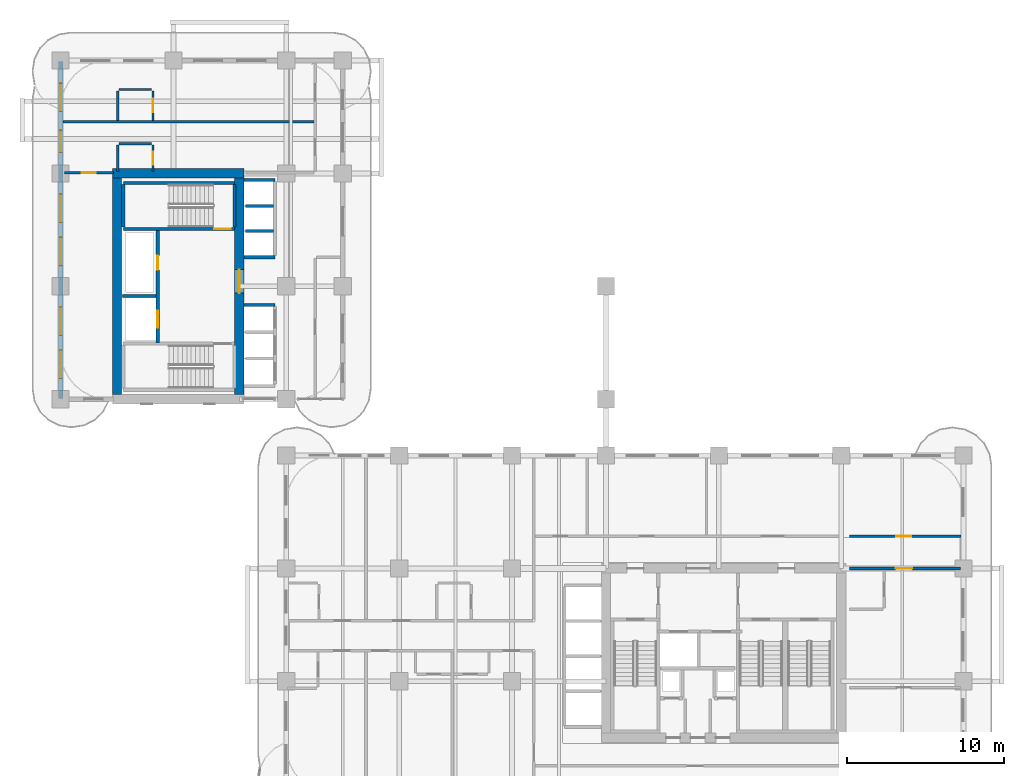
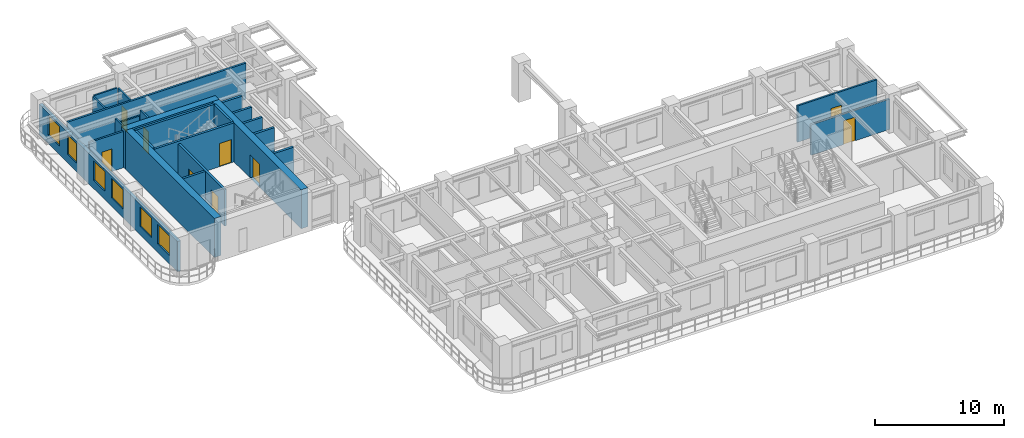
# One storey, part 10 of 18: 25 walls, 9 doors, 6 windows, 15 openings.
"""IFC4 building model written with IfcOpenShell, lengths in metres."""

from ifc_helpers import new_model, si_unit, derived_unit, direction, frame, frame_2d, origin, place, context, subcontext, project, spatial, rectangle, extrude, source, transform, mapped, material, layer, layer_set, type_object, type_shapes, element, fill, save


model = new_model("IFC4")

# Units and contexts
model_context = context("Model", 3, precision=1e-05, world=origin(), true_north=direction((0.0, 1.0)))
body_context = subcontext(model_context, "Body", "Model", "MODEL_VIEW")
ifc_project = project(units=[si_unit("LENGTHUNIT", "METRE"), si_unit("AREAUNIT", "SQUARE_METRE"), si_unit("VOLUMEUNIT", "CUBIC_METRE"), si_unit("PLANEANGLEUNIT", "RADIAN"), si_unit("MASSUNIT", "GRAM", prefix="KILO"), si_unit("THERMODYNAMICTEMPERATUREUNIT", "KELVIN"), si_unit("POWERUNIT", "WATT"), derived_unit("THERMALTRANSMITTANCEUNIT", [(si_unit("POWERUNIT", "WATT"), 1), (si_unit("AREAUNIT", "SQUARE_METRE"), -1), (si_unit("THERMODYNAMICTEMPERATUREUNIT", "KELVIN"), -1)])], contexts=[model_context])

# Site, building, storey
site_placement = place(None, origin())
site = spatial("IfcSite", under=ifc_project, at=site_placement, CompositionType="ELEMENT")
building_placement = place(site_placement, origin())
building = spatial("IfcBuilding", under=site, at=building_placement, Name="Zahravan Archway Hotel and Residences", CompositionType="ELEMENT")
storey_placement = place(building_placement, frame((0.0, 0.0, 36.10009765625)))
storey = spatial("IfcBuildingStorey", under=building, at=storey_placement, Name="L07", CompositionType="ELEMENT", Elevation=36.10009765625)

# Walls
ifc_material_1 = material(Name="Concrete C70/85", Category="concrete")
ifc_layer_1 = layer(ifc_material_1, 0.60009765625, Name="Concrete C70/85", Category="concrete")
ifc_layer_set_1 = layer_set([ifc_layer_1], Name="Concrete C70/85")
wall_type_1 = type_object("IfcWallType", Name="CW-CORE-600", PredefinedType="SHEAR", material=ifc_layer_set_1)
wall_1_placement = place(storey_placement, frame((3.300048828125, 39.60009765625, 0.0), z_axis=(0.0, 0.0, 1.0), x_axis=(1.0, 0.0, 0.0)))
element("IfcWall", 1, at=wall_1_placement, inside=storey, type_object=wall_type_1, Name="L07 Core B Shear N Wall 600 mm", PredefinedType="SHEAR", context=body_context, shape_type="SweptSolid", body=[
    extrude(rectangle(XDim=8.39990234375, YDim=0.60009765625, at=frame_2d((4.199951171875, 0.0))), origin(), (0.0, 0.0, 1.0), 3.699951171875),
])
wall_2_placement = place(storey_placement, frame((3.60009765625, 25.5, 0.0), z_axis=(0.0, 0.0, 1.0), x_axis=(0.0, 1.0, 0.0)))
element("IfcWall", 2, at=wall_2_placement, inside=storey, type_object=wall_type_1, Name="L07 Core B Shear W Wall 600 mm", PredefinedType="SHEAR", context=body_context, shape_type="SweptSolid", body=[
    extrude(rectangle(XDim=13.800048828125, YDim=0.60009765625, at=frame_2d((6.89990234375, 0.0))), origin(), (0.0, 0.0, 1.0), 3.699951171875),
])

# Wall, opening, door
wall_3_placement = place(storey_placement, frame((11.39990234375, 25.5, 0.0), z_axis=(0.0, 0.0, 1.0), x_axis=(0.0, 1.0, 0.0)))
wall_3 = element("IfcWall", 3, at=wall_3_placement, inside=storey, type_object=wall_type_1, Name="L07 Core B Shear E Wall 600 mm", PredefinedType="SHEAR", context=body_context, shape_type="SweptSolid", body=[
    extrude(rectangle(XDim=13.800048828125, YDim=0.60009765625, at=frame_2d((6.89990234375, 0.0))), origin(), (0.0, 0.0, 1.0), 3.699951171875),
])
opening_1_placement = place(wall_3_placement, frame((6.469970703125, 0.0, 0.0)))
opening_1 = element("IfcOpeningElement", 4, at=opening_1_placement, cuts=wall_3, Name="Opening FD-L1", PredefinedType="OPENING", context=body_context, shape_type="SweptSolid", body=[
    extrude(rectangle(XDim=1.5, YDim=2.199951171875, at=frame_2d((0.75, 1.10009765625))), frame((0.0, 0.31005859375, 0.0), z_axis=(0.0, -1.0, 0.0), x_axis=(1.0, 0.0, 0.0)), (0.0, 0.0, 1.0), 0.6201171875),
])
ifc_material_2 = material(Name="Fire-Rated Painted Steel", Category="steel")
door_type_1 = type_object("IfcDoorType", Name="FD-LOBBY-1500", OperationType="DOUBLE_DOOR_SINGLE_SWING", PredefinedType="DOOR", material=ifc_material_2)
shared_shape_1 = source(origin(), body_context, "Body", "SweptSolid", [
    extrude(rectangle(XDim=1.5, YDim=2.199951171875, at=frame_2d((0.75, 1.10009765625))), frame((0.0, 0.02490234375, 0.0), z_axis=(0.0, -1.0, 0.0), x_axis=(1.0, 0.0, 0.0)), (0.0, 0.0, 1.0), 0.050048828125),
])
type_shapes(door_type_1, [shared_shape_1])
door_1_placement = place(opening_1_placement, origin())
door_1 = element("IfcDoor", 5, at=door_1_placement, inside=storey, type_object=door_type_1, Name="L07 Core B FSAE Lobby Door", OperationType="DOUBLE_DOOR_SINGLE_SWING", OverallHeight=2.199951171875, OverallWidth=1.5, PredefinedType="DOOR", context=body_context, shape_type="MappedRepresentation", body=[
    mapped(shared_shape_1, transform((0.0, 0.0, 0.0), scale=1.0)),
])
fill(opening_1, door_1)

# Wall, openings, windows
ifc_material_3 = material(Name="Honed Red-Ochre Sandstone & Insulated Block", Category="masonry")
ifc_layer_2 = layer(ifc_material_3, 0.280029296875, Name="Honed Red-Ochre Sandstone & Insulated Block", Category="masonry")
ifc_layer_set_2 = layer_set([ifc_layer_2], Name="Honed Red-Ochre Sandstone & Insulated Block")
wall_type_2 = type_object("IfcWallType", Name="EW-LOG-280", PredefinedType="SOLIDWALL", material=ifc_layer_set_2)
wall_4_placement = place(storey_placement, frame((0.0, 25.25, 0.0), z_axis=(0.0, 0.0, 1.0), x_axis=(0.0, 1.0, 0.0)))
wall_4 = element("IfcWall", 6, at=wall_4_placement, inside=storey, type_object=wall_type_2, Name="L07 Exterior Sandstone Wall WB-W", PredefinedType="SOLIDWALL", context=body_context, shape_type="SweptSolid", body=[
    extrude(rectangle(XDim=21.5, YDim=0.280029296875, at=frame_2d((10.75, 0.0))), origin(), (0.0, 0.0, 1.0), 2.885009765625),
])
opening_2_placement = place(wall_4_placement, frame((1.27490234375, 0.0, 0.800048828125)))
opening_2 = element("IfcOpeningElement", 7, at=opening_2_placement, cuts=wall_4, Name="Opening W-02", PredefinedType="OPENING", context=body_context, shape_type="SweptSolid", body=[
    extrude(rectangle(XDim=1.800048828125, YDim=1.85009765625, at=frame_2d((0.89990234375, 0.925048828125))), frame((0.0, 0.14990234375, 0.0), z_axis=(0.0, -1.0, 0.0), x_axis=(1.0, 0.0, 0.0)), (0.0, 0.0, 1.0), 0.300048828125),
])
opening_3_placement = place(wall_4_placement, frame((4.02490234375, 0.0, 0.800048828125)))
opening_3 = element("IfcOpeningElement", 8, at=opening_3_placement, cuts=wall_4, Name="Opening W-02", PredefinedType="OPENING", context=body_context, shape_type="SweptSolid", body=[
    extrude(rectangle(XDim=1.800048828125, YDim=1.85009765625, at=frame_2d((0.89990234375, 0.925048828125))), frame((0.0, 0.14990234375, 0.0), z_axis=(0.0, -1.0, 0.0), x_axis=(1.0, 0.0, 0.0)), (0.0, 0.0, 1.0), 0.300048828125),
])
opening_4_placement = place(wall_4_placement, frame((8.47509765625, 0.0, 0.800048828125)))
opening_4 = element("IfcOpeningElement", 9, at=opening_4_placement, cuts=wall_4, Name="Opening W-02", PredefinedType="OPENING", context=body_context, shape_type="SweptSolid", body=[
    extrude(rectangle(XDim=1.800048828125, YDim=1.85009765625, at=frame_2d((0.89990234375, 0.925048828125))), frame((0.0, 0.14990234375, 0.0), z_axis=(0.0, -1.0, 0.0), x_axis=(1.0, 0.0, 0.0)), (0.0, 0.0, 1.0), 0.300048828125),
])
opening_5_placement = place(wall_4_placement, frame((11.22509765625, 0.0, 0.800048828125)))
opening_5 = element("IfcOpeningElement", 10, at=opening_5_placement, cuts=wall_4, Name="Opening W-02", PredefinedType="OPENING", context=body_context, shape_type="SweptSolid", body=[
    extrude(rectangle(XDim=1.800048828125, YDim=1.85009765625, at=frame_2d((0.89990234375, 0.925048828125))), frame((0.0, 0.14990234375, 0.0), z_axis=(0.0, -1.0, 0.0), x_axis=(1.0, 0.0, 0.0)), (0.0, 0.0, 1.0), 0.300048828125),
])
opening_6_placement = place(wall_4_placement, frame((15.697021484375, 0.0, 0.800048828125)))
opening_6 = element("IfcOpeningElement", 11, at=opening_6_placement, cuts=wall_4, Name="Opening W-03", PredefinedType="OPENING", context=body_context, shape_type="SweptSolid", body=[
    extrude(rectangle(XDim=1.39990234375, YDim=1.85009765625, at=frame_2d((0.699951171875, 0.925048828125))), frame((0.0, 0.14990234375, 0.0), z_axis=(0.0, -1.0, 0.0), x_axis=(1.0, 0.0, 0.0)), (0.0, 0.0, 1.0), 0.300048828125),
])
opening_7_placement = place(wall_4_placement, frame((18.302978515625, 0.0, 0.800048828125)))
opening_7 = element("IfcOpeningElement", 12, at=opening_7_placement, cuts=wall_4, Name="Opening W-02", PredefinedType="OPENING", context=body_context, shape_type="SweptSolid", body=[
    extrude(rectangle(XDim=1.800048828125, YDim=1.85009765625, at=frame_2d((0.89990234375, 0.925048828125))), frame((0.0, 0.14990234375, 0.0), z_axis=(0.0, -1.0, 0.0), x_axis=(1.0, 0.0, 0.0)), (0.0, 0.0, 1.0), 0.300048828125),
])
ifc_material_4 = material(Name="Bronze-Anodized Thermal-Break Aluminium & Low-E Glass", Category="aluminium")
window_type_1 = type_object("IfcWindowType", Name="WIN-TWR-1400", PartitioningType="SINGLE_PANEL", PredefinedType="WINDOW", material=ifc_material_4)
shared_shape_2 = source(origin(), body_context, "Body", "SweptSolid", [
    extrude(rectangle(XDim=1.39990234375, YDim=1.85009765625, at=frame_2d((0.699951171875, 0.925048828125))), frame((0.0, 0.030029296875, 0.0), z_axis=(0.0, -1.0, 0.0), x_axis=(1.0, 0.0, 0.0)), (0.0, 0.0, 1.0), 0.06005859375),
])
type_shapes(window_type_1, [shared_shape_2])
window_1_placement = place(opening_6_placement, origin())
window_1 = element("IfcWindow", 13, at=window_1_placement, inside=storey, type_object=window_type_1, Name="L07 Loggia Window 45", OverallHeight=1.85009765625, OverallWidth=1.39990234375, PartitioningType="SINGLE_PANEL", PredefinedType="WINDOW", context=body_context, shape_type="MappedRepresentation", body=[
    mapped(shared_shape_2, transform((0.0, 0.0, 0.0), scale=1.0)),
])
fill(opening_6, window_1)
window_type_2 = type_object("IfcWindowType", Name="WIN-TWR-1800", PartitioningType="DOUBLE_PANEL_VERTICAL", PredefinedType="WINDOW", material=ifc_material_4)
shared_shape_3 = source(origin(), body_context, "Body", "SweptSolid", [
    extrude(rectangle(XDim=1.800048828125, YDim=1.85009765625, at=frame_2d((0.89990234375, 0.925048828125))), frame((0.0, 0.030029296875, 0.0), z_axis=(0.0, -1.0, 0.0), x_axis=(1.0, 0.0, 0.0)), (0.0, 0.0, 1.0), 0.06005859375),
])
type_shapes(window_type_2, [shared_shape_3])
window_2_placement = place(opening_2_placement, origin())
window_2 = element("IfcWindow", 14, at=window_2_placement, inside=storey, type_object=window_type_2, Name="L07 Loggia Window 41", OverallHeight=1.85009765625, OverallWidth=1.800048828125, PartitioningType="DOUBLE_PANEL_VERTICAL", PredefinedType="WINDOW", context=body_context, shape_type="MappedRepresentation", body=[
    mapped(shared_shape_3, transform((0.0, 0.0, 0.0), scale=1.0)),
])
fill(opening_2, window_2)
window_3_placement = place(opening_3_placement, origin())
window_3 = element("IfcWindow", 15, at=window_3_placement, inside=storey, type_object=window_type_2, Name="L07 Loggia Window 42", OverallHeight=1.85009765625, OverallWidth=1.800048828125, PartitioningType="DOUBLE_PANEL_VERTICAL", PredefinedType="WINDOW", context=body_context, shape_type="MappedRepresentation", body=[
    mapped(shared_shape_3, transform((0.0, 0.0, 0.0), scale=1.0)),
])
fill(opening_3, window_3)
window_4_placement = place(opening_4_placement, origin())
window_4 = element("IfcWindow", 16, at=window_4_placement, inside=storey, type_object=window_type_2, Name="L07 Loggia Window 43", OverallHeight=1.85009765625, OverallWidth=1.800048828125, PartitioningType="DOUBLE_PANEL_VERTICAL", PredefinedType="WINDOW", context=body_context, shape_type="MappedRepresentation", body=[
    mapped(shared_shape_3, transform((0.0, 0.0, 0.0), scale=1.0)),
])
fill(opening_4, window_4)
window_5_placement = place(opening_5_placement, origin())
window_5 = element("IfcWindow", 17, at=window_5_placement, inside=storey, type_object=window_type_2, Name="L07 Loggia Window 44", OverallHeight=1.85009765625, OverallWidth=1.800048828125, PartitioningType="DOUBLE_PANEL_VERTICAL", PredefinedType="WINDOW", context=body_context, shape_type="MappedRepresentation", body=[
    mapped(shared_shape_3, transform((0.0, 0.0, 0.0), scale=1.0)),
])
fill(opening_5, window_5)
window_6_placement = place(opening_7_placement, origin())
window_6 = element("IfcWindow", 18, at=window_6_placement, inside=storey, type_object=window_type_2, Name="L07 Loggia Window 46", OverallHeight=1.85009765625, OverallWidth=1.800048828125, PartitioningType="DOUBLE_PANEL_VERTICAL", PredefinedType="WINDOW", context=body_context, shape_type="MappedRepresentation", body=[
    mapped(shared_shape_3, transform((0.0, 0.0, 0.0), scale=1.0)),
])
fill(opening_7, window_6)

# Wall, opening, door
ifc_material_5 = material(Name="Fire-Rated Gypsum & Concrete Block", Category="concrete")
ifc_layer_3 = layer(ifc_material_5, 0.159912109375, Name="Fire-Rated Gypsum & Concrete Block", Category="concrete")
ifc_layer_set_3 = layer_set([ifc_layer_3], Name="Fire-Rated Gypsum & Concrete Block")
wall_type_3 = type_object("IfcWallType", Name="PW-CORR-160", PredefinedType="PARTITIONING", material=ifc_layer_set_3)
wall_5_placement = place(storey_placement, frame((50.340087890625, 16.449951171875, 0.0), z_axis=(0.0, 0.0, 1.0), x_axis=(1.0, 0.0, 0.0)))
wall_5 = element("IfcWall", 19, at=wall_5_placement, inside=storey, type_object=wall_type_3, Name="L07 Partition EA-PN", PredefinedType="PARTITIONING", context=body_context, shape_type="SweptSolid", body=[
    extrude(rectangle(XDim=7.11181640625, YDim=0.159912109375, at=frame_2d((3.555908203125, 0.0))), origin(), (0.0, 0.0, 1.0), 3.449951171875),
])
opening_8_placement = place(wall_5_placement, frame((2.985107421875, 0.0, 0.0)))
opening_8 = element("IfcOpeningElement", 20, at=opening_8_placement, cuts=wall_5, Name="Opening D-I1", PredefinedType="OPENING", context=body_context, shape_type="SweptSolid", body=[
    extrude(rectangle(XDim=0.949951171875, YDim=2.14990234375, at=frame_2d((0.47509765625, 1.074951171875))), frame((0.0, 0.08984375, 0.0), z_axis=(0.0, -1.0, 0.0), x_axis=(1.0, 0.0, 0.0)), (0.0, 0.0, 1.0), 0.179931640625),
])
ifc_material_6 = material(Name="Hardwood Veneer Timber", Category="wood")
door_type_2 = type_object("IfcDoorType", Name="ID-INT-950", OperationType="NOTDEFINED", PredefinedType="DOOR", material=ifc_material_6)
shared_shape_4 = source(origin(), body_context, "Body", "SweptSolid", [
    extrude(rectangle(XDim=0.949951171875, YDim=2.14990234375, at=frame_2d((0.47509765625, 1.074951171875))), frame((0.0, 0.02490234375, 0.0), z_axis=(0.0, -1.0, 0.0), x_axis=(1.0, 0.0, 0.0)), (0.0, 0.0, 1.0), 0.050048828125),
])
type_shapes(door_type_2, [shared_shape_4])
door_2_placement = place(opening_8_placement, origin())
door_2 = element("IfcDoor", 21, at=door_2_placement, inside=storey, type_object=door_type_2, Name="L07 East Tea Kitchenette Door", OperationType="SINGLE_SWING_RIGHT", OverallHeight=2.14990234375, OverallWidth=0.949951171875, PredefinedType="DOOR", context=body_context, shape_type="MappedRepresentation", body=[
    mapped(shared_shape_4, transform((0.0, 0.0, 0.0), scale=1.0)),
])
fill(opening_8, door_2)

# Wall, openings, doors
ifc_layer_4 = layer(ifc_material_5, 0.199951171875, Name="Fire-Rated Gypsum & Concrete Block", Category="concrete")
ifc_layer_set_4 = layer_set([ifc_layer_4], Name="Fire-Rated Gypsum & Concrete Block")
wall_type_4 = type_object("IfcWallType", Name="PW-SHAFT-200", PredefinedType="PARTITIONING", material=ifc_layer_set_4)
wall_6_placement = place(storey_placement, frame((6.199951171875, 28.7900390625, 0.0), z_axis=(0.0, 0.0, 1.0), x_axis=(0.0, 1.0, 0.0)))
wall_6 = element("IfcWall", 22, at=wall_6_placement, inside=storey, type_object=wall_type_4, Name="L07 Partition CB-FL3E", PredefinedType="PARTITIONING", context=body_context, shape_type="SweptSolid", body=[
    extrude(rectangle(XDim=7.219970703125, YDim=0.199951171875, at=frame_2d((3.60986328125, 0.0))), origin(), (0.0, 0.0, 1.0), 3.449951171875),
])
opening_9_placement = place(wall_6_placement, frame((4.659912109375, 0.0, 0.0)))
opening_9 = element("IfcOpeningElement", 23, at=opening_9_placement, cuts=wall_6, Name="Opening FD-R1", PredefinedType="OPENING", context=body_context, shape_type="SweptSolid", body=[
    extrude(rectangle(XDim=0.89990234375, YDim=2.10009765625, at=frame_2d((0.449951171875, 1.050048828125))), frame((0.0, 0.10986328125, 0.0), z_axis=(0.0, -1.0, 0.0), x_axis=(1.0, 0.0, 0.0)), (0.0, 0.0, 1.0), 0.219970703125),
])
opening_10_placement = place(wall_6_placement, frame((0.9599609375, 0.0, 0.0)))
opening_10 = element("IfcOpeningElement", 24, at=opening_10_placement, cuts=wall_6, Name="Opening LD", PredefinedType="OPENING", context=body_context, shape_type="SweptSolid", body=[
    extrude(rectangle(XDim=1.10009765625, YDim=2.199951171875, at=frame_2d((0.550048828125, 1.10009765625))), frame((0.0, 0.10986328125, 0.0), z_axis=(0.0, -1.0, 0.0), x_axis=(1.0, 0.0, 0.0)), (0.0, 0.0, 1.0), 0.219970703125),
])
door_type_3 = type_object("IfcDoorType", Name="FD-RISER-900", OperationType="NOTDEFINED", PredefinedType="DOOR", material=ifc_material_2)
shared_shape_5 = source(origin(), body_context, "Body", "SweptSolid", [
    extrude(rectangle(XDim=0.89990234375, YDim=2.10009765625, at=frame_2d((0.449951171875, 1.050048828125))), frame((0.0, 0.02490234375, 0.0), z_axis=(0.0, -1.0, 0.0), x_axis=(1.0, 0.0, 0.0)), (0.0, 0.0, 1.0), 0.050048828125),
])
type_shapes(door_type_3, [shared_shape_5])
door_3_placement = place(opening_9_placement, origin())
door_3 = element("IfcDoor", 25, at=door_3_placement, inside=storey, type_object=door_type_3, Name="L07 Core B Riser Door", OperationType="SINGLE_SWING_RIGHT", OverallHeight=2.10009765625, OverallWidth=0.89990234375, PredefinedType="DOOR", context=body_context, shape_type="MappedRepresentation", body=[
    mapped(shared_shape_5, transform((0.0, 0.0, 0.0), scale=1.0)),
])
fill(opening_9, door_3)
ifc_material_7 = material(Name="Brushed Stainless Steel", Category="steel")
door_type_4 = type_object("IfcDoorType", Name="DR-LIFT-LD", OperationType="SLIDING_TO_LEFT", PredefinedType="DOOR", material=ifc_material_7)
shared_shape_6 = source(origin(), body_context, "Body", "SweptSolid", [
    extrude(rectangle(XDim=1.10009765625, YDim=2.199951171875, at=frame_2d((0.550048828125, 1.10009765625))), frame((0.0, 0.02490234375, 0.0), z_axis=(0.0, -1.0, 0.0), x_axis=(1.0, 0.0, 0.0)), (0.0, 0.0, 1.0), 0.050048828125),
])
type_shapes(door_type_4, [shared_shape_6])
door_4_placement = place(opening_10_placement, origin())
door_4 = element("IfcDoor", 26, at=door_4_placement, inside=storey, type_object=door_type_4, Name="L07 Lift FL-3 Sliding Landing Door", OperationType="SLIDING_TO_LEFT", OverallHeight=2.199951171875, OverallWidth=1.10009765625, PredefinedType="DOOR", context=body_context, shape_type="MappedRepresentation", body=[
    mapped(shared_shape_6, transform((0.0, 0.0, 0.0), scale=1.0)),
])
fill(opening_10, door_4)

# Walls
wall_7_placement = place(storey_placement, frame((3.9599609375, 31.780029296875, 0.0), z_axis=(0.0, 0.0, 1.0), x_axis=(1.0, 0.0, 0.0)))
element("IfcWall", 27, at=wall_7_placement, inside=storey, type_object=wall_type_4, Name="L07 Partition CB-FL3N", PredefinedType="PARTITIONING", context=body_context, shape_type="SweptSolid", body=[
    extrude(rectangle(XDim=2.130126953125, YDim=0.199951171875, at=frame_2d((1.06494140625, 0.0))), origin(), (0.0, 0.0, 1.0), 3.449951171875),
])
for number, where, z_axis, x_axis, name in (
    (28, (11.7099609375, 31.2099609375, 0.0), (0.0, 0.0, 1.0), (1.0, 0.0, 0.0), "L07 Partition B1-N"),
    (29, (11.7099609375, 34.25, 0.0), (0.0, 0.0, 1.0), (1.0, 0.0, 0.0), "L07 Partition B2-S"),
    (30, (11.7099609375, 39.18994140625, 0.0), (0.0, 0.0, 1.0), (1.0, 0.0, 0.0), "L07 Partition B2-N"),
):
    element("IfcWall", number, at=place(storey_placement, frame(where, z_axis=z_axis, x_axis=x_axis)), inside=storey, type_object=wall_type_4, Name=name, PredefinedType="PARTITIONING", context=body_context, shape_type="SweptSolid", body=[
        extrude(rectangle(XDim=1.9599609375, YDim=0.199951171875, at=frame_2d((0.97998046875, 0.0))), origin(), (0.0, 0.0, 1.0), 3.449951171875),
    ])
for number, where, z_axis, x_axis, name in (
    (31, (11.81005859375, 35.919921875, 0.0), (0.0, 0.0, 1.0), (1.0, 0.0, 0.0), "L07 Partition B2-D"),
    (32, (11.81005859375, 37.52001953125, 0.0), (0.0, 0.0, 1.0), (1.0, 0.0, 0.0), "L07 Partition B2-D"),
):
    element("IfcWall", number, at=place(storey_placement, frame(where, z_axis=z_axis, x_axis=x_axis)), inside=storey, type_object=wall_type_4, Name=name, PredefinedType="PARTITIONING", context=body_context, shape_type="SweptSolid", body=[
        extrude(rectangle(XDim=1.760009765625, YDim=0.199951171875, at=frame_2d((0.8798828125, 0.0))), origin(), (0.0, 0.0, 1.0), 3.449951171875),
    ])

# Wall, opening, door
ifc_material_8 = material(Name="Acoustic Stud Partition")
ifc_layer_5 = layer(ifc_material_8, 0.169921875, Name="Acoustic Stud Partition")
ifc_layer_set_5 = layer_set([ifc_layer_5], Name="Acoustic Stud Partition")
wall_type_5 = type_object("IfcWallType", Name="PW-UNIT-170", PredefinedType="PARTITIONING", material=ifc_layer_set_5)
wall_8_placement = place(storey_placement, frame((50.340087890625, 14.39990234375, 0.0), z_axis=(0.0, 0.0, 1.0), x_axis=(1.0, 0.0, 0.0)))
wall_8 = element("IfcWall", 33, at=wall_8_placement, inside=storey, type_object=wall_type_5, Name="L07 Partition EA-PS", PredefinedType="PARTITIONING", context=body_context, shape_type="SweptSolid", body=[
    extrude(rectangle(XDim=7.06982421875, YDim=0.169921875, at=frame_2d((3.534912109375, 0.0))), origin(), (0.0, 0.0, 1.0), 2.885009765625),
])
opening_11_placement = place(wall_8_placement, frame((2.93505859375, 0.0, 0.0)))
opening_11 = element("IfcOpeningElement", 34, at=opening_11_placement, cuts=wall_8, Name="Opening D-U1", PredefinedType="OPENING", context=body_context, shape_type="SweptSolid", body=[
    extrude(rectangle(XDim=1.050048828125, YDim=2.25, at=frame_2d((0.52490234375, 1.125))), frame((0.0, 0.094970703125, 0.0), z_axis=(0.0, -1.0, 0.0), x_axis=(1.0, 0.0, 0.0)), (0.0, 0.0, 1.0), 0.18994140625),
])
door_type_5 = type_object("IfcDoorType", Name="ID-UNIT-1050", OperationType="NOTDEFINED", PredefinedType="DOOR", material=ifc_material_6)
shared_shape_7 = source(origin(), body_context, "Body", "SweptSolid", [
    extrude(rectangle(XDim=1.050048828125, YDim=2.25, at=frame_2d((0.52490234375, 1.125))), frame((0.0, 0.02490234375, 0.0), z_axis=(0.0, -1.0, 0.0), x_axis=(1.0, 0.0, 0.0)), (0.0, 0.0, 1.0), 0.050048828125),
])
type_shapes(door_type_5, [shared_shape_7])
door_5_placement = place(opening_11_placement, origin())
door_5 = element("IfcDoor", 35, at=door_5_placement, inside=storey, type_object=door_type_5, Name="L07 East Suite Door", OperationType="SINGLE_SWING_LEFT", OverallHeight=2.25, OverallWidth=1.050048828125, PredefinedType="DOOR", context=body_context, shape_type="MappedRepresentation", body=[
    mapped(shared_shape_7, transform((0.0, 0.0, 0.0), scale=1.0)),
])
fill(opening_11, door_5)

wall_9_placement = place(storey_placement, frame((0.239990234375, 39.64990234375, 0.0), z_axis=(0.0, 0.0, 1.0), x_axis=(1.0, 0.0, 0.0)))
wall_9 = element("IfcWall", 36, at=wall_9_placement, inside=storey, type_object=wall_type_5, Name="L07 Partition WB-NS", PredefinedType="PARTITIONING", context=body_context, shape_type="SweptSolid", body=[
    extrude(rectangle(XDim=3.1201171875, YDim=0.169921875, at=frame_2d((1.56005859375, 0.0))), origin(), (0.0, 0.0, 1.0), 3.449951171875),
])
opening_12_placement = place(wall_9_placement, frame((1.110107421875, 0.0, 0.0)))
opening_12 = element("IfcOpeningElement", 37, at=opening_12_placement, cuts=wall_9, Name="Opening D-I2", PredefinedType="OPENING", context=body_context, shape_type="SweptSolid", body=[
    extrude(rectangle(XDim=0.89990234375, YDim=2.14990234375, at=frame_2d((0.449951171875, 1.074951171875))), frame((0.0, 0.094970703125, 0.0), z_axis=(0.0, -1.0, 0.0), x_axis=(1.0, 0.0, 0.0)), (0.0, 0.0, 1.0), 0.18994140625),
])
door_type_6 = type_object("IfcDoorType", Name="ID-INT-900", OperationType="NOTDEFINED", PredefinedType="DOOR", material=ifc_material_6)
shared_shape_8 = source(origin(), body_context, "Body", "SweptSolid", [
    extrude(rectangle(XDim=0.89990234375, YDim=2.14990234375, at=frame_2d((0.449951171875, 1.074951171875))), frame((0.0, 0.02490234375, 0.0), z_axis=(0.0, -1.0, 0.0), x_axis=(1.0, 0.0, 0.0)), (0.0, 0.0, 1.0), 0.050048828125),
])
type_shapes(door_type_6, [shared_shape_8])
door_6_placement = place(opening_12_placement, origin())
door_6 = element("IfcDoor", 38, at=door_6_placement, inside=storey, type_object=door_type_6, Name="L07 Wing B West Loggia Salon Door", OperationType="SINGLE_SWING_RIGHT", OverallHeight=2.14990234375, OverallWidth=0.89990234375, PredefinedType="DOOR", context=body_context, shape_type="MappedRepresentation", body=[
    mapped(shared_shape_8, transform((0.0, 0.0, 0.0), scale=1.0)),
])
fill(opening_12, door_6)

# Walls
wall_10_placement = place(storey_placement, frame((0.14794921875, 42.89990234375, 0.0), z_axis=(0.0, 0.0, 1.0), x_axis=(1.0, 0.0, 0.0)))
element("IfcWall", 39, at=wall_10_placement, inside=storey, type_object=wall_type_5, Name="L07 Partition WB-NH", PredefinedType="PARTITIONING", context=body_context, shape_type="SweptSolid", body=[
    extrude(rectangle(XDim=16.011962890625, YDim=0.169921875, at=frame_2d((8.005859375, 0.0))), origin(), (0.0, 0.0, 1.0), 3.449951171875),
])
ifc_material_9 = material(Name="Moisture-Resistant Blockwork", Category="masonry")
ifc_layer_6 = layer(ifc_material_9, 0.139892578125, Name="Moisture-Resistant Blockwork", Category="masonry")
ifc_layer_set_6 = layer_set([ifc_layer_6], Name="Moisture-Resistant Blockwork")
wall_type_6 = type_object("IfcWallType", Name="PW-WET-140", PredefinedType="PARTITIONING", material=ifc_layer_set_6)
wall_11_placement = place(storey_placement, frame((3.64990234375, 39.739990234375, 0.0), z_axis=(0.0, 0.0, 1.0), x_axis=(0.0, 1.0, 0.0)))
element("IfcWall", 40, at=wall_11_placement, inside=storey, type_object=wall_type_6, Name="L07 Partition HKB-VL61", PredefinedType="PARTITIONING", context=body_context, shape_type="SweptSolid", body=[
    extrude(rectangle(XDim=1.669921875, YDim=0.139892578125, at=frame_2d((0.8349609375, 0.0))), origin(), (0.0, 0.0, 1.0), 3.449951171875),
])
wall_12_placement = place(storey_placement, frame((3.739990234375, 41.5, 0.0), z_axis=(0.0, 0.0, 1.0), x_axis=(1.0, 0.0, 0.0)))
element("IfcWall", 41, at=wall_12_placement, inside=storey, type_object=wall_type_6, Name="L07 Partition HKB-H61", PredefinedType="PARTITIONING", context=body_context, shape_type="SweptSolid", body=[
    extrude(rectangle(XDim=2.070068359375, YDim=0.139892578125, at=frame_2d((1.03515625, 0.0))), origin(), (0.0, 0.0, 1.0), 2.885009765625),
])

# Wall, opening, door
wall_13_placement = place(storey_placement, frame((5.89990234375, 39.739990234375, 0.0), z_axis=(0.0, 0.0, 1.0), x_axis=(0.0, 1.0, 0.0)))
wall_13 = element("IfcWall", 42, at=wall_13_placement, inside=storey, type_object=wall_type_6, Name="L07 Partition HKB-V61", PredefinedType="PARTITIONING", context=body_context, shape_type="SweptSolid", body=[
    extrude(rectangle(XDim=1.669921875, YDim=0.139892578125, at=frame_2d((0.8349609375, 0.0))), origin(), (0.0, 0.0, 1.0), 3.449951171875),
])
opening_13_placement = place(wall_13_placement, frame((0.409912109375, 0.0, 0.0)))
opening_13 = element("IfcOpeningElement", 43, at=opening_13_placement, cuts=wall_13, Name="Opening D-B1", PredefinedType="OPENING", context=body_context, shape_type="SweptSolid", body=[
    extrude(rectangle(XDim=0.85009765625, YDim=2.10009765625, at=frame_2d((0.425048828125, 1.050048828125))), frame((0.0, 0.080078125, 0.0), z_axis=(0.0, -1.0, 0.0), x_axis=(1.0, 0.0, 0.0)), (0.0, 0.0, 1.0), 0.159912109375),
])
door_type_7 = type_object("IfcDoorType", Name="ID-BATH-850", OperationType="NOTDEFINED", PredefinedType="DOOR", material=ifc_material_6)
shared_shape_9 = source(origin(), body_context, "Body", "SweptSolid", [
    extrude(rectangle(XDim=0.85009765625, YDim=2.10009765625, at=frame_2d((0.425048828125, 1.050048828125))), frame((0.0, 0.02490234375, 0.0), z_axis=(0.0, -1.0, 0.0), x_axis=(1.0, 0.0, 0.0)), (0.0, 0.0, 1.0), 0.050048828125),
])
type_shapes(door_type_7, [shared_shape_9])
door_7_placement = place(opening_13_placement, origin())
door_7 = element("IfcDoor", 44, at=door_7_placement, inside=storey, type_object=door_type_7, Name="L07 Guestroom 61 En-Suite Door", OperationType="SINGLE_SWING_LEFT", OverallHeight=2.10009765625, OverallWidth=0.85009765625, PredefinedType="DOOR", context=body_context, shape_type="MappedRepresentation", body=[
    mapped(shared_shape_9, transform((0.0, 0.0, 0.0), scale=1.0)),
])
fill(opening_13, door_7)

# Walls
wall_14_placement = place(storey_placement, frame((3.64990234375, 42.989990234375, 0.0), z_axis=(0.0, 0.0, 1.0), x_axis=(0.0, 1.0, 0.0)))
element("IfcWall", 45, at=wall_14_placement, inside=storey, type_object=wall_type_6, Name="L07 Partition HKB-VL62", PredefinedType="PARTITIONING", context=body_context, shape_type="SweptSolid", body=[
    extrude(rectangle(XDim=1.882080078125, YDim=0.139892578125, at=frame_2d((0.94091796875, 0.0))), origin(), (0.0, 0.0, 1.0), 3.449951171875),
])
wall_15_placement = place(storey_placement, frame((3.739990234375, 44.9619140625, 0.0), z_axis=(0.0, 0.0, 1.0), x_axis=(1.0, 0.0, 0.0)))
element("IfcWall", 46, at=wall_15_placement, inside=storey, type_object=wall_type_6, Name="L07 Partition HKB-H62", PredefinedType="PARTITIONING", context=body_context, shape_type="SweptSolid", body=[
    extrude(rectangle(XDim=2.070068359375, YDim=0.139892578125, at=frame_2d((1.03515625, 0.0))), origin(), (0.0, 0.0, 1.0), 3.449951171875),
])

# Wall, opening, door
wall_16_placement = place(storey_placement, frame((5.89990234375, 42.989990234375, 0.0), z_axis=(0.0, 0.0, 1.0), x_axis=(0.0, 1.0, 0.0)))
wall_16 = element("IfcWall", 47, at=wall_16_placement, inside=storey, type_object=wall_type_6, Name="L07 Partition HKB-V62", PredefinedType="PARTITIONING", context=body_context, shape_type="SweptSolid", body=[
    extrude(rectangle(XDim=1.882080078125, YDim=0.139892578125, at=frame_2d((0.94091796875, 0.0))), origin(), (0.0, 0.0, 1.0), 3.449951171875),
])
opening_14_placement = place(wall_16_placement, frame((0.51611328125, 0.0, 0.0)))
opening_14 = element("IfcOpeningElement", 48, at=opening_14_placement, cuts=wall_16, Name="Opening D-B1", PredefinedType="OPENING", context=body_context, shape_type="SweptSolid", body=[
    extrude(rectangle(XDim=0.85009765625, YDim=2.10009765625, at=frame_2d((0.425048828125, 1.050048828125))), frame((0.0, 0.080078125, 0.0), z_axis=(0.0, -1.0, 0.0), x_axis=(1.0, 0.0, 0.0)), (0.0, 0.0, 1.0), 0.159912109375),
])
door_8_placement = place(opening_14_placement, origin())
door_8 = element("IfcDoor", 49, at=door_8_placement, inside=storey, type_object=door_type_7, Name="L07 Guestroom 62 En-Suite Door", OperationType="SINGLE_SWING_LEFT", OverallHeight=2.10009765625, OverallWidth=0.85009765625, PredefinedType="DOOR", context=body_context, shape_type="MappedRepresentation", body=[
    mapped(shared_shape_9, transform((0.0, 0.0, 0.0), scale=1.0)),
])
fill(opening_14, door_8)

# Walls
ifc_material_10 = material(Name="Concrete C50/60", Category="concrete")
ifc_layer_7 = layer(ifc_material_10, 0.199951171875, Name="Concrete C50/60", Category="concrete")
ifc_layer_set_7 = layer_set([ifc_layer_7], Name="Concrete C50/60")
wall_type_7 = type_object("IfcWallType", Name="SW-STAIR-200", PredefinedType="SHEAR", material=ifc_layer_set_7)
wall_17_placement = place(storey_placement, frame((4.0, 39.0, 0.0), z_axis=(0.0, 0.0, 1.0), x_axis=(1.0, 0.0, 0.0)))
element("IfcWall", 50, at=wall_17_placement, inside=storey, type_object=wall_type_7, Name="L07 Stairwell RC Wall CB-SB2N", PredefinedType="SHEAR", context=body_context, shape_type="SweptSolid", body=[
    extrude(rectangle(XDim=7.10009765625, YDim=0.199951171875, at=frame_2d((3.550048828125, 0.0))), origin(), (0.0, 0.0, 1.0), 3.699951171875),
])
for number, where, z_axis, x_axis, name in (
    (51, (4.0, 36.179931640625, 0.0), (0.0, 0.0, 1.0), (0.0, 1.0, 0.0), "L07 Stairwell RC Wall CB-SB2W"),
    (52, (11.10009765625, 36.179931640625, 0.0), (0.0, 0.0, 1.0), (0.0, 1.0, 0.0), "L07 Stairwell RC Wall CB-SB2E"),
):
    element("IfcWall", number, at=place(storey_placement, frame(where, z_axis=z_axis, x_axis=x_axis)), inside=storey, type_object=wall_type_7, Name=name, PredefinedType="SHEAR", context=body_context, shape_type="SweptSolid", body=[
        extrude(rectangle(XDim=2.699951171875, YDim=0.199951171875, at=frame_2d((1.35009765625, 0.0))), origin(), (0.0, 0.0, 1.0), 3.699951171875),
    ])

# Wall, opening, door
wall_18_placement = place(storey_placement, frame((4.0, 36.06005859375, 0.0), z_axis=(0.0, 0.0, 1.0), x_axis=(1.0, 0.0, 0.0)))
wall_18 = element("IfcWall", 53, at=wall_18_placement, inside=storey, type_object=wall_type_7, Name="L07 Stairwell RC Wall CB-SB2S", PredefinedType="SHEAR", context=body_context, shape_type="SweptSolid", body=[
    extrude(rectangle(XDim=7.10009765625, YDim=0.199951171875, at=frame_2d((3.550048828125, 0.0))), origin(), (0.0, 0.0, 1.0), 3.699951171875),
])
opening_15_placement = place(wall_18_placement, frame((5.81494140625, 0.0, 0.0)))
opening_15 = element("IfcOpeningElement", 54, at=opening_15_placement, cuts=wall_18, Name="Opening FD-S1", PredefinedType="OPENING", context=body_context, shape_type="SweptSolid", body=[
    extrude(rectangle(XDim=1.050048828125, YDim=2.199951171875, at=frame_2d((0.52490234375, 1.10009765625))), frame((0.0, 0.10986328125, 0.0), z_axis=(0.0, -1.0, 0.0), x_axis=(1.0, 0.0, 0.0)), (0.0, 0.0, 1.0), 0.219970703125),
])
door_type_8 = type_object("IfcDoorType", Name="FD-STAIR-1100", OperationType="NOTDEFINED", PredefinedType="DOOR", material=ifc_material_2)
shared_shape_10 = source(origin(), body_context, "Body", "SweptSolid", [
    extrude(rectangle(XDim=1.050048828125, YDim=2.199951171875, at=frame_2d((0.52490234375, 1.10009765625))), frame((0.0, 0.02490234375, 0.0), z_axis=(0.0, -1.0, 0.0), x_axis=(1.0, 0.0, 0.0)), (0.0, 0.0, 1.0), 0.050048828125),
])
type_shapes(door_type_8, [shared_shape_10])
door_9_placement = place(opening_15_placement, origin())
door_9 = element("IfcDoor", 55, at=door_9_placement, inside=storey, type_object=door_type_8, Name="L07 Stair ST-B2 Door", OperationType="SINGLE_SWING_LEFT", OverallHeight=2.199951171875, OverallWidth=1.050048828125, PredefinedType="DOOR", context=body_context, shape_type="MappedRepresentation", body=[
    mapped(shared_shape_10, transform((0.0, 0.0, 0.0), scale=1.0)),
])
fill(opening_15, door_9)

save(model, "model.ifc")
